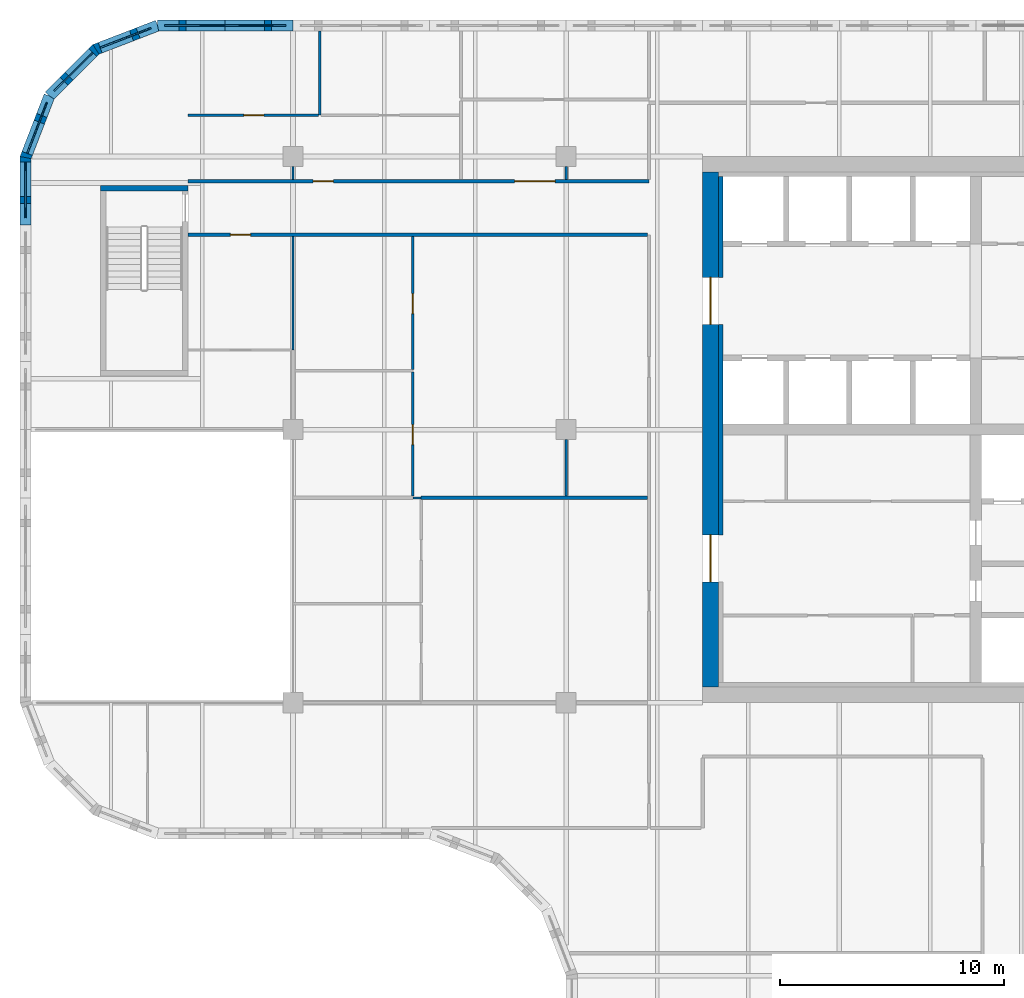
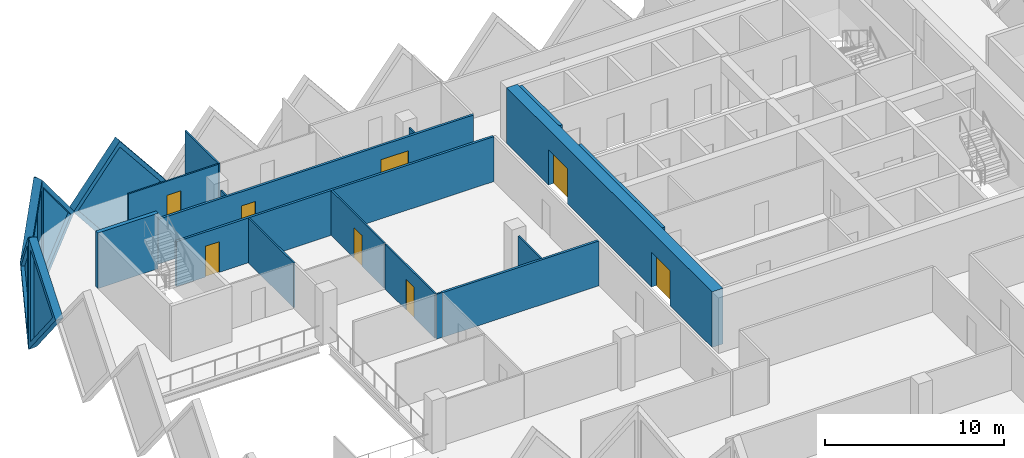
# One storey, part 7 of 13: 21 walls, 8 doors, 5 plates, 13 openings.
"""IFC4 building model written with IfcOpenShell, lengths in metres."""

from ifc_helpers import new_model, si_unit, direction, frame, frame_2d, origin, place, context, subcontext, project, spatial, polyline, rectangle, outline, extrude, faceted_brep, source, transform, mapped, material, layer, layer_set, type_object, element, fill, save


model = new_model("IFC4")

# Units and contexts
model_context = context("Model", 3, precision=1e-05, world=origin(), true_north=direction((0.0, 1.0)))
body_context = subcontext(model_context, "Body", "Model", "MODEL_VIEW")
ifc_project = project(units=[si_unit("LENGTHUNIT", "METRE"), si_unit("AREAUNIT", "SQUARE_METRE"), si_unit("VOLUMEUNIT", "CUBIC_METRE"), si_unit("PLANEANGLEUNIT", "RADIAN"), si_unit("MASSUNIT", "GRAM", prefix="KILO")], contexts=[model_context])

# Site, building, storey
site_placement = place(None, origin())
site = spatial("IfcSite", under=ifc_project, at=site_placement, CompositionType="ELEMENT")
building_placement = place(site_placement, origin())
building = spatial("IfcBuilding", under=site, at=building_placement, Name="Tessera Gate Towers", CompositionType="ELEMENT")
storey_placement = place(building_placement, frame((0.0, 0.0, 131.60009765625)))
storey = spatial("IfcBuildingStorey", under=building, at=storey_placement, Name="L32", CompositionType="ELEMENT", Elevation=131.60009765625)

# Wall
ifc_material_1 = material(Name="Concrete C40/50", Category="concrete")
ifc_layer_1 = layer(ifc_material_1, 0.25)
ifc_layer_set_1 = layer_set([ifc_layer_1], Name="CORE ENCLOSURE WALL 250")
wall_type_1 = type_object("IfcWallType", Name="CORE ENCLOSURE WALL 250", PredefinedType="SOLIDWALL", material=ifc_layer_set_1)
wall_1_placement = place(storey_placement, frame((3.60009765625, 47.375, 0.0), z_axis=(0.0, 0.0, 1.0), x_axis=(1.0, 0.0, 0.0)))
element("IfcWall", 1, at=wall_1_placement, inside=storey, type_object=wall_type_1, Name="L32 ST3 enclosure wall", PredefinedType="SOLIDWALL", context=body_context, shape_type="SweptSolid", body=[
    extrude(rectangle(XDim=3.89990234375, YDim=0.25, at=frame_2d((1.949951171875, 0.0))), origin(), (0.0, 0.0, 1.0), 3.7998046875),
])

# Wall, openings, doors
ifc_material_2 = material(Name="Concrete C60/75", Category="concrete")
ifc_layer_2 = layer(ifc_material_2, 0.699951171875)
ifc_layer_set_2 = layer_set([ifc_layer_2], Name="CORE SHEAR WALL 700 C60/75")
wall_type_2 = type_object("IfcWallType", Name="CORE SHEAR WALL 700 C60/75", PredefinedType="SHEAR", material=ifc_layer_set_2)
wall_2_placement = place(storey_placement, frame((30.85009765625, 25.10009765625, 0.0), z_axis=(0.0, 0.0, 1.0), x_axis=(0.0, 1.0, 0.0)))
wall_2 = element("IfcWall", 2, at=wall_2_placement, inside=storey, type_object=wall_type_2, Name="Core wall W L32", PredefinedType="SHEAR", context=body_context, shape_type="SweptSolid", body=[
    extrude(rectangle(XDim=23.0, YDim=0.699951171875, at=frame_2d((11.5, 0.0))), origin(), (0.0, 0.0, 1.0), 3.7998046875),
])
shared_shape_1 = source(origin(), body_context, "Body", "SweptSolid", [
    extrude(rectangle(XDim=2.10009765625, YDim=2.39990234375, at=frame_2d((1.050048828125, 1.199951171875))), frame((0.0, 0.35986328125, 0.0), z_axis=(0.0, -1.0, 0.0), x_axis=(1.0, 0.0, 0.0)), (0.0, 0.0, 1.0), 0.719970703125),
])
opening_1_placement = place(wall_2_placement, frame((4.699951171875, 0.0, 0.0)))
opening_1 = element("IfcOpeningElement", 3, at=opening_1_placement, cuts=wall_2, Name="Opening DD-T1-22-02", PredefinedType="OPENING", context=body_context, shape_type="MappedRepresentation", body=[
    mapped(shared_shape_1, transform((0.0, 0.0, 0.0), scale=1.0)),
])
opening_2_placement = place(wall_2_placement, frame((16.199951171875, 0.0, 0.0)))
opening_2 = element("IfcOpeningElement", 4, at=opening_2_placement, cuts=wall_2, Name="Opening DD-T1-22-03", PredefinedType="OPENING", context=body_context, shape_type="MappedRepresentation", body=[
    mapped(shared_shape_1, transform((0.0, 0.0, 0.0), scale=1.0)),
])
ifc_material_3 = material(Name="Hollow steel fire door", Category="steel")
door_type_1 = type_object("IfcDoorType", Name="CORE DOOR DD 2100x2400", OperationType="NOTDEFINED", PredefinedType="DOOR", material=ifc_material_3)
shared_shape_2 = source(origin(), body_context, "Body", "SweptSolid", [
    extrude(rectangle(XDim=2.10009765625, YDim=2.39990234375, at=frame_2d((1.050048828125, 1.199951171875))), frame((0.0, 0.02490234375, 0.0), z_axis=(0.0, -1.0, 0.0), x_axis=(1.0, 0.0, 0.0)), (0.0, 0.0, 1.0), 0.050048828125),
])
door_1_placement = place(opening_1_placement, origin())
door_1 = element("IfcDoor", 5, at=door_1_placement, inside=storey, type_object=door_type_1, Name="Core entrance door", OperationType="DOUBLE_DOOR_SINGLE_SWING", OverallHeight=2.39990234375, OverallWidth=2.10009765625, PredefinedType="DOOR", context=body_context, shape_type="MappedRepresentation", body=[
    mapped(shared_shape_2, transform((0.0, 0.0, 0.0), scale=1.0)),
])
fill(opening_1, door_1)
door_2_placement = place(opening_2_placement, origin())
door_2 = element("IfcDoor", 6, at=door_2_placement, inside=storey, type_object=door_type_1, Name="Core entrance door", OperationType="DOUBLE_DOOR_SINGLE_SWING", OverallHeight=2.39990234375, OverallWidth=2.10009765625, PredefinedType="DOOR", context=body_context, shape_type="MappedRepresentation", body=[
    mapped(shared_shape_2, transform((0.0, 0.0, 0.0), scale=1.0)),
])
fill(opening_2, door_2)

# Walls
ifc_material_4 = material(Name="Concrete C60/75", Category="concrete")
ifc_layer_3 = layer(ifc_material_4, 0.199951171875)
ifc_layer_set_3 = layer_set([ifc_layer_3], Name="CORE WALL THICKENING 200")
wall_type_3 = type_object("IfcWallType", Name="CORE WALL THICKENING 200", PredefinedType="SOLIDWALL", material=ifc_layer_set_3)
wall_3_placement = place(storey_placement, frame((31.300048828125, 31.89990234375, 0.0), z_axis=(0.0, 0.0, 1.0), x_axis=(0.0, 1.0, 0.0)))
element("IfcWall", 7, at=wall_3_placement, inside=storey, type_object=wall_type_3, Name="Core wall thickening W L32", PredefinedType="SOLIDWALL", context=body_context, shape_type="SweptSolid", body=[
    extrude(rectangle(XDim=9.400146484375, YDim=0.199951171875, at=frame_2d((4.7001953125, 0.0))), origin(), (0.0, 0.0, 1.0), 3.7998046875),
])
wall_4_placement = place(storey_placement, frame((31.300048828125, 43.39990234375, 0.0), z_axis=(0.0, 0.0, 1.0), x_axis=(0.0, 1.0, 0.0)))
element("IfcWall", 8, at=wall_4_placement, inside=storey, type_object=wall_type_3, Name="Core wall thickening W L32", PredefinedType="SOLIDWALL", context=body_context, shape_type="SweptSolid", body=[
    extrude(rectangle(XDim=4.5, YDim=0.199951171875, at=frame_2d((2.25, 0.0))), origin(), (0.0, 0.0, 1.0), 3.7998046875),
])

# Wall, opening, door
ifc_material_5 = material(Name="Gypsum board on steel studs, mineral wool", Category="steel")
ifc_layer_4 = layer(ifc_material_5, 0.14990234375)
ifc_layer_set_4 = layer_set([ifc_layer_4], Name="CORRIDOR WALL 150")
wall_type_4 = type_object("IfcWallType", Name="CORRIDOR WALL 150", PredefinedType="PARTITIONING", material=ifc_layer_set_4)
wall_5_placement = place(storey_placement, frame((28.02392578125, 45.300048828125, 0.0), z_axis=(0.0, 0.0, 1.0), x_axis=(-1.0, 0.0, 0.0)))
wall_5 = element("IfcWall", 9, at=wall_5_placement, inside=storey, type_object=wall_type_4, Name="T1-L32-PW-037", PredefinedType="PARTITIONING", context=body_context, shape_type="SweptSolid", body=[
    extrude(rectangle(XDim=20.52392578125, YDim=0.14990234375, at=frame_2d((10.261962890625, 0.0))), origin(), (0.0, 0.0, 1.0), 3.06689453125),
])
shared_shape_3 = source(origin(), body_context, "Body", "SweptSolid", [
    extrude(rectangle(XDim=0.89990234375, YDim=2.10009765625, at=frame_2d((0.449951171875, 1.050048828125))), frame((0.0, 0.0849609375, 0.0), z_axis=(0.0, -1.0, 0.0), x_axis=(1.0, 0.0, 0.0)), (0.0, 0.0, 1.0), 0.169921875),
])
opening_3_placement = place(wall_5_placement, frame((17.72412109375, 0.0, 0.0)))
opening_3 = element("IfcOpeningElement", 10, at=opening_3_placement, cuts=wall_5, Name="Opening D890FD60-A11-02", PredefinedType="OPENING", context=body_context, shape_type="MappedRepresentation", body=[
    mapped(shared_shape_3, transform((0.0, 0.0, 0.0), scale=1.0)),
])
ifc_material_6 = material(Name="Timber door leaf in steel frame", Category="steel")
door_type_2 = type_object("IfcDoorType", Name="CORRIDOR DOOR 900 FD60", OperationType="NOTDEFINED", PredefinedType="DOOR", material=ifc_material_6)
shared_shape_4 = source(origin(), body_context, "Body", "SweptSolid", [
    extrude(rectangle(XDim=0.89990234375, YDim=2.10009765625, at=frame_2d((0.449951171875, 1.050048828125))), frame((0.0, 0.02490234375, 0.0), z_axis=(0.0, -1.0, 0.0), x_axis=(1.0, 0.0, 0.0)), (0.0, 0.0, 1.0), 0.050048828125),
])
door_3_placement = place(opening_3_placement, origin())
door_3 = element("IfcDoor", 11, at=door_3_placement, inside=storey, type_object=door_type_2, Name="T1-L32-PD-005", OperationType="SINGLE_SWING_RIGHT", OverallHeight=2.10009765625, OverallWidth=0.89990234375, PredefinedType="DOOR", context=body_context, shape_type="MappedRepresentation", body=[
    mapped(shared_shape_4, transform((0.0, 0.0, 0.0), scale=1.0)),
])
fill(opening_3, door_3)

# Wall, openings, doors
wall_6_placement = place(storey_placement, frame((7.5, 47.699951171875, 0.0), z_axis=(0.0, 0.0, 1.0), x_axis=(1.0, 0.0, 0.0)))
wall_6 = element("IfcWall", 12, at=wall_6_placement, inside=storey, type_object=wall_type_4, Name="T1-L32-PW-038", PredefinedType="PARTITIONING", context=body_context, shape_type="SweptSolid", body=[
    extrude(rectangle(XDim=20.60009765625, YDim=0.14990234375, at=frame_2d((10.300048828125, 0.0))), origin(), (0.0, 0.0, 1.0), 3.06689453125),
])
shared_shape_5 = source(origin(), body_context, "Body", "SweptSolid", [
    extrude(rectangle(XDim=1.800048828125, YDim=2.10009765625, at=frame_2d((0.89990234375, 1.050048828125))), frame((0.0, 0.0849609375, 0.0), z_axis=(0.0, -1.0, 0.0), x_axis=(1.0, 0.0, 0.0)), (0.0, 0.0, 1.0), 0.169921875),
])
opening_4_placement = place(wall_6_placement, frame((14.60107421875, 0.0, 0.0)))
opening_4 = element("IfcOpeningElement", 13, at=opening_4_placement, cuts=wall_6, Name="Opening D2180FD60-A11-01", PredefinedType="OPENING", context=body_context, shape_type="MappedRepresentation", body=[
    mapped(shared_shape_5, transform((0.0, 0.0, 0.0), scale=1.0)),
])
opening_5_placement = place(wall_6_placement, frame((5.60009765625, 0.0, 0.0)))
opening_5 = element("IfcOpeningElement", 14, at=opening_5_placement, cuts=wall_6, Name="Opening D890FD60-A11-07", PredefinedType="OPENING", context=body_context, shape_type="MappedRepresentation", body=[
    mapped(shared_shape_3, transform((0.0, 0.0, 0.0), scale=1.0)),
])
door_4_placement = place(opening_5_placement, origin())
door_4 = element("IfcDoor", 15, at=door_4_placement, inside=storey, type_object=door_type_2, Name="T1-L32-PD-023", OperationType="SINGLE_SWING_LEFT", OverallHeight=2.10009765625, OverallWidth=0.89990234375, PredefinedType="DOOR", context=body_context, shape_type="MappedRepresentation", body=[
    mapped(shared_shape_4, transform((0.0, 0.0, 0.0), scale=1.0)),
])
fill(opening_5, door_4)
ifc_material_7 = material(Name="Timber door leaf in steel frame", Category="steel")
door_type_3 = type_object("IfcDoorType", Name="TENANCY ENTRANCE DOUBLE DOOR 1800 FD60", OperationType="NOTDEFINED", PredefinedType="DOOR", material=ifc_material_7)
shared_shape_6 = source(origin(), body_context, "Body", "SweptSolid", [
    extrude(rectangle(XDim=1.800048828125, YDim=2.10009765625, at=frame_2d((0.89990234375, 1.050048828125))), frame((0.0, 0.02490234375, 0.0), z_axis=(0.0, -1.0, 0.0), x_axis=(1.0, 0.0, 0.0)), (0.0, 0.0, 1.0), 0.050048828125),
])
door_5_placement = place(opening_4_placement, origin())
door_5 = element("IfcDoor", 16, at=door_5_placement, inside=storey, type_object=door_type_3, Name="T1-L32-PD-015", OperationType="DOUBLE_DOOR_SINGLE_SWING", OverallHeight=2.10009765625, OverallWidth=1.800048828125, PredefinedType="DOOR", context=body_context, shape_type="MappedRepresentation", body=[
    mapped(shared_shape_6, transform((0.0, 0.0, 0.0), scale=1.0)),
])
fill(opening_4, door_5)

# Wall
ifc_material_8 = material(Name="Glass", Category="glass")
ifc_layer_5 = layer(ifc_material_8, 0.10009765625)
ifc_layer_set_5 = layer_set([ifc_layer_5], Name="GLAZED PARTITION 100")
wall_type_5 = type_object("IfcWallType", Name="GLAZED PARTITION 100", PredefinedType="PARTITIONING", material=ifc_layer_set_5)
wall_7_placement = place(storey_placement, frame((17.551025390625, 33.550048828125, 0.0), z_axis=(0.0, 0.0, 1.0), x_axis=(1.0, 0.0, 0.0)))
element("IfcWall", 17, at=wall_7_placement, inside=storey, type_object=wall_type_5, Name="T1-L32-PW-028", PredefinedType="PARTITIONING", context=body_context, shape_type="SweptSolid", body=[
    extrude(rectangle(XDim=0.373046875, YDim=0.10009765625, at=frame_2d((0.1865234375, 0.0))), origin(), (0.0, 0.0, 1.0), 3.06689453125),
])

# Wall, opening, door
wall_8_placement = place(storey_placement, frame((17.550048828125, 33.6259765625, 0.0), z_axis=(0.0, 0.0, 1.0), x_axis=(0.0, 1.0, 0.0)))
wall_8 = element("IfcWall", 18, at=wall_8_placement, inside=storey, type_object=wall_type_5, Name="T1-L32-PW-030", PredefinedType="PARTITIONING", context=body_context, shape_type="SweptSolid", body=[
    extrude(rectangle(XDim=5.54931640625, YDim=0.10009765625, at=frame_2d((2.774658203125, 0.0))), origin(), (0.0, 0.0, 1.0), 3.06689453125),
])
shared_shape_7 = source(origin(), body_context, "Body", "SweptSolid", [
    extrude(rectangle(XDim=0.89990234375, YDim=2.10009765625, at=frame_2d((0.449951171875, 1.050048828125))), frame((0.0, 0.06005859375, 0.0), z_axis=(0.0, -1.0, 0.0), x_axis=(1.0, 0.0, 0.0)), (0.0, 0.0, 1.0), 0.1201171875),
])
opening_6_placement = place(wall_8_placement, frame((2.300048828125, 0.0, 0.0)))
opening_6 = element("IfcOpeningElement", 19, at=opening_6_placement, cuts=wall_8, Name="Opening D690-A11-04", PredefinedType="OPENING", context=body_context, shape_type="MappedRepresentation", body=[
    mapped(shared_shape_7, transform((0.0, 0.0, 0.0), scale=1.0)),
])
ifc_material_9 = material(Name="Glass in aluminium frame", Category="aluminium")
door_type_4 = type_object("IfcDoorType", Name="GLAZED DOOR 900 NOT RATED", OperationType="NOTDEFINED", PredefinedType="DOOR", material=ifc_material_9)
door_6_placement = place(opening_6_placement, origin())
door_6 = element("IfcDoor", 20, at=door_6_placement, inside=storey, type_object=door_type_4, Name="T1-L32-PD-007", OperationType="SINGLE_SWING_LEFT", OverallHeight=2.10009765625, OverallWidth=0.89990234375, PredefinedType="DOOR", context=body_context, shape_type="MappedRepresentation", body=[
    mapped(shared_shape_4, transform((0.0, 0.0, 0.0), scale=1.0)),
])
fill(opening_6, door_6)

wall_9_placement = place(storey_placement, frame((17.550048828125, 39.27734375, 0.0), z_axis=(0.0, 0.0, 1.0), x_axis=(0.0, 1.0, 0.0)))
wall_9 = element("IfcWall", 21, at=wall_9_placement, inside=storey, type_object=wall_type_5, Name="T1-L32-PW-034", PredefinedType="PARTITIONING", context=body_context, shape_type="SweptSolid", body=[
    extrude(rectangle(XDim=5.94677734375, YDim=0.10009765625, at=frame_2d((2.973388671875, 0.0))), origin(), (0.0, 0.0, 1.0), 3.06689453125),
])
opening_7_placement = place(wall_9_placement, frame((2.5, 0.0, 0.0)))
opening_7 = element("IfcOpeningElement", 22, at=opening_7_placement, cuts=wall_9, Name="Opening D690-A11-06", PredefinedType="OPENING", context=body_context, shape_type="MappedRepresentation", body=[
    mapped(shared_shape_7, transform((0.0, 0.0, 0.0), scale=1.0)),
])
door_7_placement = place(opening_7_placement, origin())
door_7 = element("IfcDoor", 23, at=door_7_placement, inside=storey, type_object=door_type_4, Name="T1-L32-PD-010", OperationType="SINGLE_SWING_LEFT", OverallHeight=2.10009765625, OverallWidth=0.89990234375, PredefinedType="DOOR", context=body_context, shape_type="MappedRepresentation", body=[
    mapped(shared_shape_4, transform((0.0, 0.0, 0.0), scale=1.0)),
])
fill(opening_7, door_7)

# Wall
wall_10_placement = place(storey_placement, frame((12.199951171875, 40.156005859375, 0.0), z_axis=(0.0, 0.0, 1.0), x_axis=(0.0, 1.0, 0.0)))
element("IfcWall", 24, at=wall_10_placement, inside=storey, type_object=wall_type_5, Name="T1-L32-PW-036", PredefinedType="PARTITIONING", context=body_context, shape_type="SweptSolid", body=[
    extrude(rectangle(XDim=5.068115234375, YDim=0.10009765625, at=frame_2d((2.5341796875, 0.0))), origin(), (0.0, 0.0, 1.0), 3.06689453125),
])

# Wall, opening, door
wall_11_placement = place(storey_placement, frame((7.5, 50.64990234375, 0.0), z_axis=(0.0, 0.0, 1.0), x_axis=(1.0, 0.0, 0.0)))
wall_11 = element("IfcWall", 25, at=wall_11_placement, inside=storey, type_object=wall_type_5, Name="T1-L32-PW-043", PredefinedType="PARTITIONING", context=body_context, shape_type="SweptSolid", body=[
    extrude(rectangle(XDim=5.8427734375, YDim=0.10009765625, at=frame_2d((2.92138671875, 0.0))), origin(), (0.0, 0.0, 1.0), 3.06689453125),
])
opening_8_placement = place(wall_11_placement, frame((2.5, 0.0, 0.0)))
opening_8 = element("IfcOpeningElement", 26, at=opening_8_placement, cuts=wall_11, Name="Opening D690-A11-05", PredefinedType="OPENING", context=body_context, shape_type="MappedRepresentation", body=[
    mapped(shared_shape_7, transform((0.0, 0.0, 0.0), scale=1.0)),
])
door_8_placement = place(opening_8_placement, origin())
door_8 = element("IfcDoor", 27, at=door_8_placement, inside=storey, type_object=door_type_4, Name="T1-L32-PD-008", OperationType="SINGLE_SWING_LEFT", OverallHeight=2.10009765625, OverallWidth=0.89990234375, PredefinedType="DOOR", context=body_context, shape_type="MappedRepresentation", body=[
    mapped(shared_shape_4, transform((0.0, 0.0, 0.0), scale=1.0)),
])
fill(opening_8, door_8)

# Walls
ifc_material_10 = material(Name="Gypsum board on steel studs", Category="steel")
ifc_layer_6 = layer(ifc_material_10, 0.10009765625)
ifc_layer_set_6 = layer_set([ifc_layer_6], Name="PARTITION 100")
wall_type_6 = type_object("IfcWallType", Name="PARTITION 100", PredefinedType="PARTITIONING", material=ifc_layer_set_6)
wall_12_placement = place(storey_placement, frame((24.39990234375, 36.14990234375, 0.0), z_axis=(0.0, 0.0, 1.0), x_axis=(0.0, -1.0, 0.0)))
element("IfcWall", 28, at=wall_12_placement, inside=storey, type_object=wall_type_6, Name="T1-L32-PW-031", PredefinedType="PARTITIONING", context=body_context, shape_type="SweptSolid", body=[
    extrude(rectangle(XDim=2.52490234375, YDim=0.10009765625, at=frame_2d((1.262451171875, 0.0))), origin(), (0.0, 0.0, 1.0), 3.06689453125),
])
for number, where, z_axis, x_axis, name in (
    (29, (12.199951171875, 48.35009765625, 0.0), (0.0, 0.0, 1.0), (0.0, -1.0, 0.0), "T1-L32-PW-041"),
    (30, (24.39990234375, 48.35009765625, 0.0), (0.0, 0.0, 1.0), (0.0, -1.0, 0.0), "T1-L32-PW-042"),
):
    element("IfcWall", number, at=place(storey_placement, frame(where, z_axis=z_axis, x_axis=x_axis)), inside=storey, type_object=wall_type_6, Name=name, PredefinedType="PARTITIONING", context=body_context, shape_type="SweptSolid", body=[
        extrude(rectangle(XDim=0.5751953125, YDim=0.10009765625, at=frame_2d((0.28759765625, 0.0))), origin(), (0.0, 0.0, 1.0), 3.06689453125),
    ])
wall_13_placement = place(storey_placement, frame((13.39404296875, 50.64990234375, 0.0), z_axis=(0.0, 0.0, 1.0), x_axis=(0.0, 1.0, 0.0)))
element("IfcWall", 31, at=wall_13_placement, inside=storey, type_object=wall_type_6, Name="T1-L32-PW-044", PredefinedType="PARTITIONING", context=body_context, shape_type="SweptSolid", body=[
    extrude(rectangle(XDim=3.75, YDim=0.10009765625, at=frame_2d((1.875, 0.0))), origin(), (0.0, 0.0, 1.0), 3.06689453125),
])
ifc_material_11 = material(Name="Gypsum board on steel studs, mineral wool", Category="steel")
ifc_layer_7 = layer(ifc_material_11, 0.14990234375)
ifc_layer_set_7 = layer_set([ifc_layer_7], Name="TENANCY WALL 150")
wall_type_7 = type_object("IfcWallType", Name="TENANCY WALL 150", PredefinedType="PARTITIONING", material=ifc_layer_set_7)
wall_14_placement = place(storey_placement, frame((17.925048828125, 33.550048828125, 0.0), z_axis=(0.0, 0.0, 1.0), x_axis=(1.0, 0.0, 0.0)))
element("IfcWall", 32, at=wall_14_placement, inside=storey, type_object=wall_type_7, Name="T1-L32-PW-029", PredefinedType="PARTITIONING", context=body_context, shape_type="SweptSolid", body=[
    extrude(rectangle(XDim=10.098876953125, YDim=0.14990234375, at=frame_2d((5.04931640625, 0.0))), origin(), (0.0, 0.0, 1.0), 3.06689453125),
])

# Wall, opening, plate
ifc_material_12 = material(Name="Precast concrete C60/75 white", Category="concrete")
ifc_layer_8 = layer(ifc_material_12, 0.5)
ifc_layer_set_8 = layer_set([ifc_layer_8], Name="TS1 tessera")
wall_type_8 = type_object("IfcWallType", Name="TS1 tessera", PredefinedType="SOLIDWALL", material=ifc_layer_set_8)
shared_shape_8 = source(origin(), body_context, "Body", "Brep", [
    faceted_brep([(3.050048828125, -0.25, 0.0), (6.053466796875, -0.25, 3.800048828125), (3.050048828125, -0.25, 7.599853515625), (0.0, -0.25, 3.800048828125), (0.0, 0.25, 3.800048828125), (3.050048828125, 0.25, 7.599853515625), (6.0068359375, 0.25, 3.85888671875), (6.0068359375, 0.25, 3.7412109375), (3.050048828125, 0.25, 0.0), (6.053466796875, 0.0, 3.800048828125)], [[[0, 1, 2, 3]], [[4, 5, 6, 7, 8]], [[8, 7, 9, 1, 0]], [[6, 5, 2, 1, 9]], [[5, 4, 3, 2]], [[4, 8, 0, 3]], [[7, 6, 9]]]),
])
wall_15_placement = place(storey_placement, frame((12.199951171875, 54.64990234375, -3.800048828125), z_axis=(0.0, 0.0, 1.0), x_axis=(-1.0, 0.0, 0.0)))
wall_15 = element("IfcWall", 33, at=wall_15_placement, inside=storey, type_object=wall_type_8, Name="Precast tessera T1 TS1-0546", PredefinedType="SOLIDWALL", context=body_context, shape_type="MappedRepresentation", body=[
    mapped(shared_shape_8, transform((0.0, 0.0, 0.0), scale=1.0)),
])
shared_shape_9 = source(origin(), body_context, "Body", "SweptSolid", [
    extrude(outline(polyline([(3.048583984375, 0.401123046875), (5.73486328125, 3.800048828125), (3.048583984375, 7.19873046875), (0.320556640625, 3.800048828125), (3.048583984375, 0.401123046875)])), frame((0.0, 0.260009765625, 0.0), z_axis=(0.0, -1.0, 0.0), x_axis=(1.0, 0.0, 0.0)), (0.0, 0.0, 1.0), 0.52001953125),
])
opening_9_placement = place(wall_15_placement, origin())
opening_9 = element("IfcOpeningElement", 34, at=opening_9_placement, cuts=wall_15, Name="Opening T1-PL2-1106", PredefinedType="OPENING", context=body_context, shape_type="MappedRepresentation", body=[
    mapped(shared_shape_9, transform((0.0, 0.0, 0.0), scale=1.0)),
])
ifc_material_13 = material(Name="Low-e laminated glass", Category="glass")
ifc_layer_9 = layer(ifc_material_13, 0.06005859375)
ifc_layer_set_9 = layer_set([ifc_layer_9], Name="PL2 rhombic pane")
plate_type = type_object("IfcPlateType", Name="PL2 rhombic pane", PredefinedType="SHEET", material=ifc_layer_set_9)
shared_shape_10 = source(origin(), body_context, "Body", "SweptSolid", [
    extrude(outline(polyline([(3.048583984375, 0.401123046875), (5.73486328125, 3.800048828125), (3.048583984375, 7.19873046875), (0.320556640625, 3.800048828125), (3.048583984375, 0.401123046875)])), frame((0.0, 0.030029296875, 0.0), z_axis=(0.0, -1.0, 0.0), x_axis=(1.0, 0.0, 0.0)), (0.0, 0.0, 1.0), 0.06005859375),
])
plate_1_placement = place(opening_9_placement, origin())
plate_1 = element("IfcPlate", 35, at=plate_1_placement, inside=storey, type_object=plate_type, Name="Glass pane T1 PL2-1106", PredefinedType="SHEET", context=body_context, shape_type="MappedRepresentation", body=[
    mapped(shared_shape_10, transform((0.0, 0.0, 0.0), scale=1.0)),
])
fill(opening_9, plate_1)

ifc_material_14 = material(Name="Precast concrete C60/75 white", Category="concrete")
ifc_layer_10 = layer(ifc_material_14, 0.5)
ifc_layer_set_10 = layer_set([ifc_layer_10], Name="TS3 corner tessera")
wall_type_9 = type_object("IfcWallType", Name="TS3 corner tessera", PredefinedType="SOLIDWALL", material=ifc_layer_set_10)
shared_shape_11 = source(origin(), body_context, "Body", "Brep", [
    faceted_brep([(0.046630859375, -0.25, 0.0), (3.050048828125, -0.25, 3.800048828125), (0.046630859375, -0.25, 7.599853515625), (0.0, -0.25, 7.539794921875), (0.0, -0.25, 0.06005859375), (0.09326171875, 0.25, 7.541015625), (3.050048828125, 0.25, 3.800048828125), (0.09326171875, 0.25, 0.058837890625), (0.046630859375, 0.0, 0.0), (0.046630859375, 0.0, 7.599853515625)], [[[0, 1, 2, 3, 4]], [[5, 6, 7]], [[7, 6, 1, 0, 8]], [[6, 5, 9, 2, 1]], [[3, 2, 9]], [[8, 0, 4]], [[7, 8, 4, 3, 9, 5]]]),
])
wall_16_placement = place(storey_placement, frame((0.25, 48.800048828125, -3.800048828125), z_axis=(0.0, 0.0, 1.0), x_axis=(0.0, -1.0, 0.0)))
wall_16 = element("IfcWall", 36, at=wall_16_placement, inside=storey, type_object=wall_type_9, Name="Precast corner tessera T1 TS3-0732", PredefinedType="SOLIDWALL", context=body_context, shape_type="MappedRepresentation", body=[
    mapped(shared_shape_11, transform((0.0, 0.0, 0.0), scale=1.0)),
])
shared_shape_12 = source(origin(), body_context, "Body", "SweptSolid", [
    extrude(outline(polyline([(0.24658203125, 0.65625), (2.7314453125, 3.800048828125), (0.24658203125, 6.94384765625), (0.24658203125, 0.65625)])), frame((0.0, 0.260009765625, 0.0), z_axis=(0.0, -1.0, 0.0), x_axis=(1.0, 0.0, 0.0)), (0.0, 0.0, 1.0), 0.52001953125),
])
opening_10_placement = place(wall_16_placement, origin())
opening_10 = element("IfcOpeningElement", 37, at=opening_10_placement, cuts=wall_16, Name="Opening T1-PL2-1110", PredefinedType="OPENING", context=body_context, shape_type="MappedRepresentation", body=[
    mapped(shared_shape_12, transform((0.0, 0.0, 0.0), scale=1.0)),
])
shared_shape_13 = source(origin(), body_context, "Body", "SweptSolid", [
    extrude(outline(polyline([(0.24658203125, 0.65625), (2.7314453125, 3.800048828125), (0.24658203125, 6.94384765625), (0.24658203125, 0.65625)])), frame((0.0, 0.030029296875, 0.0), z_axis=(0.0, -1.0, 0.0), x_axis=(1.0, 0.0, 0.0)), (0.0, 0.0, 1.0), 0.06005859375),
])
plate_2_placement = place(opening_10_placement, origin())
plate_2 = element("IfcPlate", 38, at=plate_2_placement, inside=storey, type_object=plate_type, Name="Glass pane T1 PL2-1110", PredefinedType="SHEET", context=body_context, shape_type="MappedRepresentation", body=[
    mapped(shared_shape_13, transform((0.0, 0.0, 0.0), scale=1.0)),
])
fill(opening_10, plate_2)

shared_shape_14 = source(origin(), body_context, "Body", "Brep", [
    faceted_brep([(2.950439453125, -0.25, 0.0), (3.00341796875, -0.25, 0.068359375), (3.00341796875, -0.25, 7.531494140625), (2.950439453125, -0.25, 7.599853515625), (0.0, -0.25, 3.800048828125), (0.046630859375, 0.25, 3.860107421875), (2.897705078125, 0.25, 7.53173828125), (2.897705078125, 0.25, 0.068115234375), (0.046630859375, 0.25, 3.739990234375), (2.950439453125, 0.00048828125, 0.0), (2.950439453125, 0.00048828125, 7.599853515625), (0.0, 0.0, 3.800048828125)], [[[0, 1, 2, 3, 4]], [[5, 6, 7, 8]], [[1, 0, 9]], [[10, 3, 2]], [[6, 5, 11, 4, 3, 10]], [[8, 7, 9, 0, 4, 11]], [[8, 11, 5]], [[1, 9, 7, 6, 10, 2]]]),
])
wall_17_placement = place(storey_placement, frame((6.146484375, 54.64990234375, -3.800048828125), z_axis=(0.0, 0.0, 1.0), x_axis=(-0.932997369089, -0.359883188373, 0.0)))
wall_17 = element("IfcWall", 39, at=wall_17_placement, inside=storey, type_object=wall_type_9, Name="Precast corner tessera T1 TS3-0729", PredefinedType="SOLIDWALL", context=body_context, shape_type="MappedRepresentation", body=[
    mapped(shared_shape_14, transform((0.0, 0.0, 0.0), scale=1.0)),
])
shared_shape_15 = source(origin(), body_context, "Body", "SweptSolid", [
    extrude(outline(polyline([(2.75048828125, 6.934814453125), (0.31640625, 3.800048828125), (2.75048828125, 0.665283203125), (2.75048828125, 6.934814453125)])), frame((0.0, 0.260009765625, 0.0), z_axis=(0.0, -1.0, 0.0), x_axis=(1.0, 0.0, 0.0)), (0.0, 0.0, 1.0), 0.52001953125),
])
opening_11_placement = place(wall_17_placement, origin())
opening_11 = element("IfcOpeningElement", 40, at=opening_11_placement, cuts=wall_17, Name="Opening T1-PL2-1107", PredefinedType="OPENING", context=body_context, shape_type="MappedRepresentation", body=[
    mapped(shared_shape_15, transform((0.0, 0.0, 0.0), scale=1.0)),
])
shared_shape_16 = source(origin(), body_context, "Body", "SweptSolid", [
    extrude(outline(polyline([(2.75048828125, 6.934814453125), (0.31640625, 3.800048828125), (2.75048828125, 0.665283203125), (2.75048828125, 6.934814453125)])), frame((0.0, 0.030029296875, 0.0), z_axis=(0.0, -1.0, 0.0), x_axis=(1.0, 0.0, 0.0)), (0.0, 0.0, 1.0), 0.06005859375),
])
plate_3_placement = place(opening_11_placement, origin())
plate_3 = element("IfcPlate", 41, at=plate_3_placement, inside=storey, type_object=plate_type, Name="Glass pane T1 PL2-1107", PredefinedType="SHEET", context=body_context, shape_type="MappedRepresentation", body=[
    mapped(shared_shape_16, transform((0.0, 0.0, 0.0), scale=1.0)),
])
fill(opening_11, plate_3)

shared_shape_17 = source(origin(), body_context, "Body", "Brep", [
    faceted_brep([(0.052978515625, -0.25, 0.0), (2.9970703125, -0.25, 3.800048828125), (0.052978515625, -0.25, 7.599853515625), (0.0, -0.25, 7.53173828125), (0.0, -0.25, 0.068115234375), (0.10595703125, 0.25, 7.531494140625), (2.944091796875, 0.25, 3.8681640625), (2.944091796875, 0.25, 3.73193359375), (0.10595703125, 0.25, 0.068359375), (2.9970703125, 0.000244140625, 3.800048828125), (0.052978515625, 0.0, 0.0), (0.052978515625, 0.0, 7.599853515625)], [[[0, 1, 2, 3, 4]], [[5, 6, 7, 8]], [[8, 7, 9, 1, 0, 10]], [[6, 5, 11, 2, 1, 9]], [[3, 2, 11]], [[10, 0, 4]], [[8, 10, 4, 3, 11, 5]], [[7, 6, 9]]]),
])
wall_18_placement = place(storey_placement, frame((3.43115234375, 53.62548828125, -3.800048828125), z_axis=(0.0, 0.0, 1.0), x_axis=(-0.707106781187, -0.707106781187, 0.0)))
wall_18 = element("IfcWall", 42, at=wall_18_placement, inside=storey, type_object=wall_type_9, Name="Precast corner tessera T1 TS3-0730", PredefinedType="SOLIDWALL", context=body_context, shape_type="MappedRepresentation", body=[
    mapped(shared_shape_17, transform((0.0, 0.0, 0.0), scale=1.0)),
])
shared_shape_18 = source(origin(), body_context, "Body", "SweptSolid", [
    extrude(outline(polyline([(0.2529296875, 0.666259765625), (2.680908203125, 3.800048828125), (0.2529296875, 6.93359375), (0.2529296875, 0.666259765625)])), frame((0.0, 0.260009765625, 0.0), z_axis=(0.0, -1.0, 0.0), x_axis=(1.0, 0.0, 0.0)), (0.0, 0.0, 1.0), 0.52001953125),
])
opening_12_placement = place(wall_18_placement, origin())
opening_12 = element("IfcOpeningElement", 43, at=opening_12_placement, cuts=wall_18, Name="Opening T1-PL2-1108", PredefinedType="OPENING", context=body_context, shape_type="MappedRepresentation", body=[
    mapped(shared_shape_18, transform((0.0, 0.0, 0.0), scale=1.0)),
])
shared_shape_19 = source(origin(), body_context, "Body", "SweptSolid", [
    extrude(outline(polyline([(0.2529296875, 0.666259765625), (2.680908203125, 3.800048828125), (0.2529296875, 6.93359375), (0.2529296875, 0.666259765625)])), frame((0.0, 0.030029296875, 0.0), z_axis=(0.0, -1.0, 0.0), x_axis=(1.0, 0.0, 0.0)), (0.0, 0.0, 1.0), 0.06005859375),
])
plate_4_placement = place(opening_12_placement, origin())
plate_4 = element("IfcPlate", 44, at=plate_4_placement, inside=storey, type_object=plate_type, Name="Glass pane T1 PL2-1108", PredefinedType="SHEET", context=body_context, shape_type="MappedRepresentation", body=[
    mapped(shared_shape_19, transform((0.0, 0.0, 0.0), scale=1.0)),
])
fill(opening_12, plate_4)

shared_shape_20 = source(origin(), body_context, "Body", "Brep", [
    faceted_brep([(2.950439453125, -0.25, 0.0), (2.9970703125, -0.25, 0.05908203125), (2.9970703125, -0.25, 7.540771484375), (2.950439453125, -0.25, 7.599853515625), (0.0, -0.25, 3.800048828125), (0.052978515625, 0.25, 3.8681640625), (2.904052734375, 0.25, 7.5400390625), (2.904052734375, 0.25, 0.059814453125), (0.052978515625, 0.25, 3.73193359375), (2.950439453125, 0.00048828125, 0.0), (2.950439453125, 0.00048828125, 7.599853515625), (0.0, 0.0, 3.800048828125)], [[[0, 1, 2, 3, 4]], [[5, 6, 7, 8]], [[1, 0, 9]], [[10, 3, 2]], [[6, 5, 11, 4, 3, 10]], [[8, 7, 9, 0, 4, 11]], [[8, 11, 5]], [[1, 9, 7, 6, 10, 2]]]),
])
wall_19_placement = place(storey_placement, frame((1.31201171875, 51.50634765625, -3.800048828125), z_axis=(0.0, 0.0, 1.0), x_axis=(-0.359944998003, -0.932973525033, 0.0)))
wall_19 = element("IfcWall", 45, at=wall_19_placement, inside=storey, type_object=wall_type_9, Name="Precast corner tessera T1 TS3-0731", PredefinedType="SOLIDWALL", context=body_context, shape_type="MappedRepresentation", body=[
    mapped(shared_shape_20, transform((0.0, 0.0, 0.0), scale=1.0)),
])
opening_13_placement = place(wall_19_placement, origin())
opening_13 = element("IfcOpeningElement", 46, at=opening_13_placement, cuts=wall_19, Name="Opening T1-PL2-1109", PredefinedType="OPENING", context=body_context, shape_type="MappedRepresentation", body=[
    mapped(shared_shape_15, transform((0.0, 0.0, 0.0), scale=1.0)),
])
plate_5_placement = place(opening_13_placement, origin())
plate_5 = element("IfcPlate", 47, at=plate_5_placement, inside=storey, type_object=plate_type, Name="Glass pane T1 PL2-1109", PredefinedType="SHEET", context=body_context, shape_type="MappedRepresentation", body=[
    mapped(shared_shape_16, transform((0.0, 0.0, 0.0), scale=1.0)),
])
fill(opening_13, plate_5)

save(model, "model.ifc")
